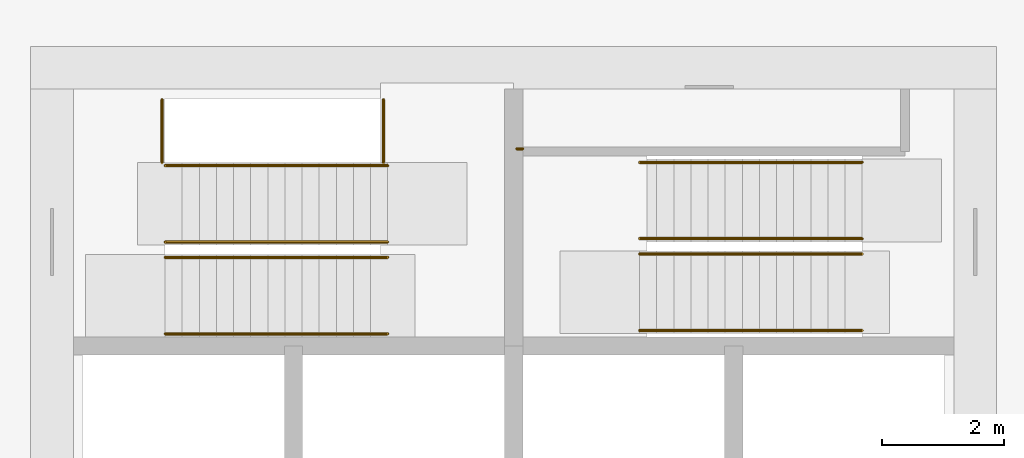
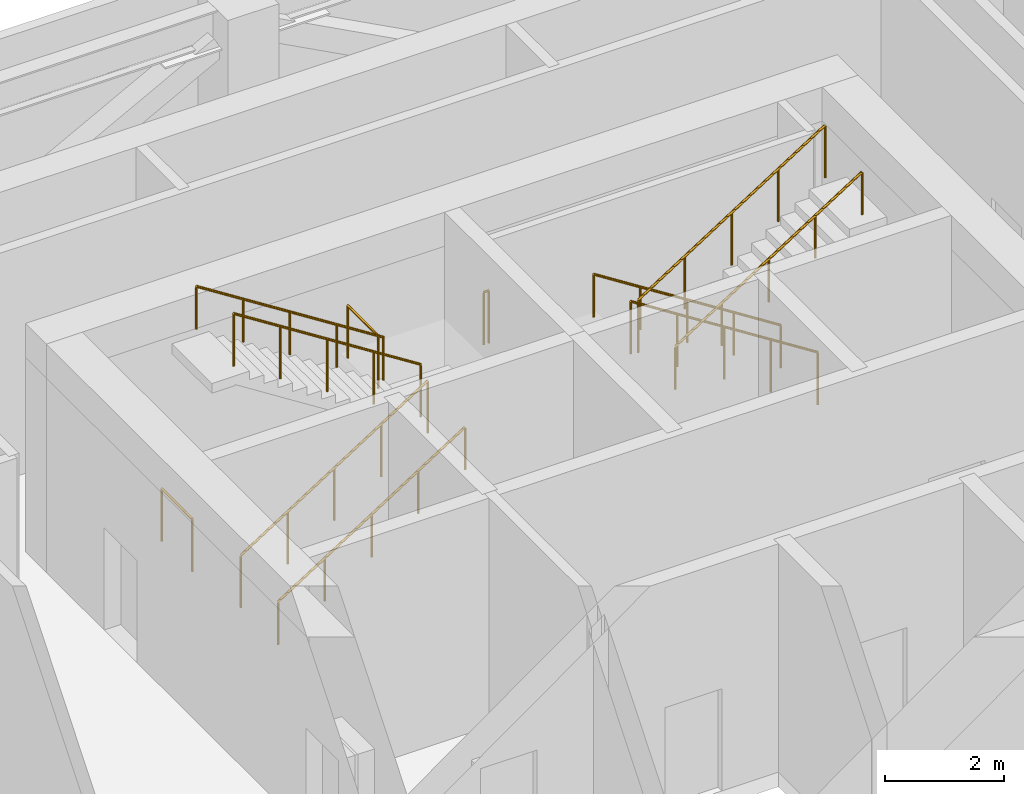
# One storey, part 8 of 9: 11 railings.
"""IFC4 building model written with IfcOpenShell, lengths in metres."""

from ifc_helpers import new_model, si_unit, direction, frame, origin, origin_2d, place, context, subcontext, project, spatial, circle, extrude, material, type_object, element, save


model = new_model("IFC4")

# Units and contexts
model_context = context("Model", 3, precision=1e-05, world=origin(), true_north=direction((0.0, 1.0)))
body_context = subcontext(model_context, "Body", "Model", "MODEL_VIEW")
ifc_project = project(units=[si_unit("LENGTHUNIT", "METRE"), si_unit("AREAUNIT", "SQUARE_METRE"), si_unit("VOLUMEUNIT", "CUBIC_METRE"), si_unit("PLANEANGLEUNIT", "RADIAN"), si_unit("MASSUNIT", "GRAM", prefix="KILO")], contexts=[model_context])

# Site, building, storey
site_placement = place(None, origin())
site = spatial("IfcSite", under=ifc_project, at=site_placement, CompositionType="ELEMENT")
building_placement = place(site_placement, origin())
building = spatial("IfcBuilding", under=site, at=building_placement, Name="Windrow Commons", CompositionType="ELEMENT")
storey_placement = place(building_placement, frame((0.0, 0.0, 126.2)))
storey = spatial("IfcBuildingStorey", under=building, at=storey_placement, Name="L34", CompositionType="ELEMENT", Elevation=126.2)

# Railings
ifc_material_1 = material(Name="Steel S355", Category="steel")
railing_type_1 = type_object("IfcRailingType", Name="Core stair guard 1100", PredefinedType="GUARDRAIL", material=ifc_material_1)
railing_1_placement = place(storey_placement, frame((59.1, 62.05, 0.1786)))
element("IfcRailing", 1, at=railing_1_placement, inside=storey, type_object=railing_type_1, Name="L34 ST-A1 stair guard 1", PredefinedType="GUARDRAIL", context=body_context, shape_type="SweptSolid", body=[
    extrude(circle(Radius=0.024, at=origin_2d()), frame((0.0, 0.0, 1.076), z_axis=(0.8431326905, 0.0, 0.5377055571), x_axis=(0.0, 1.0, 0.0)), (0.0, 0.0, 1.0), 4.3172),
    extrude(circle(Radius=0.021, at=origin_2d()), origin(), (0.0, 0.0, 1.0), 1.052),
    extrude(circle(Radius=0.021, at=origin_2d()), frame((0.91, 0.0, 0.5803)), (0.0, 0.0, 1.0), 1.052),
    extrude(circle(Radius=0.021, at=origin_2d()), frame((1.82, 0.0, 1.1607)), (0.0, 0.0, 1.0), 1.052),
    extrude(circle(Radius=0.021, at=origin_2d()), frame((2.73, 0.0, 1.741)), (0.0, 0.0, 1.0), 1.052),
    extrude(circle(Radius=0.021, at=origin_2d()), frame((3.64, 0.0, 2.3214)), (0.0, 0.0, 1.0), 1.052),
])
railing_2_placement = place(storey_placement, frame((62.74, 62.3, 2.6786)))
element("IfcRailing", 2, at=railing_2_placement, inside=storey, type_object=railing_type_1, Name="L34 ST-A1 stair guard 2", PredefinedType="GUARDRAIL", context=body_context, shape_type="SweptSolid", body=[
    extrude(circle(Radius=0.024, at=origin_2d()), frame((0.0, 0.0, 1.076), z_axis=(-0.8431326905, 0.0, 0.5377055571), x_axis=(0.0, -1.0, 0.0)), (0.0, 0.0, 1.0), 4.3172),
    extrude(circle(Radius=0.021, at=origin_2d()), origin(), (0.0, 0.0, 1.0), 1.052),
    extrude(circle(Radius=0.021, at=origin_2d()), frame((-0.91, 0.0, 0.5803)), (0.0, 0.0, 1.0), 1.052),
    extrude(circle(Radius=0.021, at=origin_2d()), frame((-1.82, 0.0, 1.1607)), (0.0, 0.0, 1.0), 1.052),
    extrude(circle(Radius=0.021, at=origin_2d()), frame((-2.73, 0.0, 1.741)), (0.0, 0.0, 1.0), 1.052),
    extrude(circle(Radius=0.021, at=origin_2d()), frame((-3.64, 0.0, 2.3214)), (0.0, 0.0, 1.0), 1.052),
])
for number, where, name in (
    (3, (59.05, 63.6, 0.0), "L34 ST-A1 stair guard 3"),
    (4, (62.67, 63.6, 2.5), "L34 ST-A1 stair guard 4"),
):
    element("IfcRailing", number, at=place(storey_placement, frame(where)), inside=storey, type_object=railing_type_1, Name=name, PredefinedType="GUARDRAIL", context=body_context, shape_type="SweptSolid", body=[
        extrude(circle(Radius=0.024, at=origin_2d()), frame((0.0, 0.0, 1.076), z_axis=(0.0, 1.0, 0.0), x_axis=(-1.0, 0.0, 0.0)), (0.0, 0.0, 1.0), 1.03),
        extrude(circle(Radius=0.021, at=origin_2d()), origin(), (0.0, 0.0, 1.0), 1.052),
        extrude(circle(Radius=0.021, at=origin_2d()), frame((0.0, 1.03, 0.0)), (0.0, 0.0, 1.0), 1.052),
    ])
railing_3_placement = place(storey_placement, frame((70.5, 62.355, 0.1786)))
element("IfcRailing", 5, at=railing_3_placement, inside=storey, type_object=railing_type_1, Name="L34 ST-A2 stair guard 1", PredefinedType="GUARDRAIL", context=body_context, shape_type="SweptSolid", body=[
    extrude(circle(Radius=0.024, at=origin_2d()), frame((0.0, 0.0, 1.076), z_axis=(-0.8431326905, 0.0, 0.5377055571), x_axis=(0.0, -1.0, 0.0)), (0.0, 0.0, 1.0), 4.3172),
    extrude(circle(Radius=0.021, at=origin_2d()), origin(), (0.0, 0.0, 1.0), 1.052),
    extrude(circle(Radius=0.021, at=origin_2d()), frame((-0.91, 0.0, 0.5803)), (0.0, 0.0, 1.0), 1.052),
    extrude(circle(Radius=0.021, at=origin_2d()), frame((-1.82, 0.0, 1.1607)), (0.0, 0.0, 1.0), 1.052),
    extrude(circle(Radius=0.021, at=origin_2d()), frame((-2.73, 0.0, 1.741)), (0.0, 0.0, 1.0), 1.052),
    extrude(circle(Radius=0.021, at=origin_2d()), frame((-3.64, 0.0, 2.3214)), (0.0, 0.0, 1.0), 1.052),
])
railing_4_placement = place(storey_placement, frame((66.86, 62.105, 2.6786)))
element("IfcRailing", 6, at=railing_4_placement, inside=storey, type_object=railing_type_1, Name="L34 ST-A2 stair guard 2", PredefinedType="GUARDRAIL", context=body_context, shape_type="SweptSolid", body=[
    extrude(circle(Radius=0.024, at=origin_2d()), frame((0.0, 0.0, 1.076), z_axis=(0.8431326905, 0.0, 0.5377055571), x_axis=(0.0, 1.0, 0.0)), (0.0, 0.0, 1.0), 4.3172),
    extrude(circle(Radius=0.021, at=origin_2d()), origin(), (0.0, 0.0, 1.0), 1.052),
    extrude(circle(Radius=0.021, at=origin_2d()), frame((0.91, 0.0, 0.5803)), (0.0, 0.0, 1.0), 1.052),
    extrude(circle(Radius=0.021, at=origin_2d()), frame((1.82, 0.0, 1.1607)), (0.0, 0.0, 1.0), 1.052),
    extrude(circle(Radius=0.021, at=origin_2d()), frame((2.73, 0.0, 1.741)), (0.0, 0.0, 1.0), 1.052),
    extrude(circle(Radius=0.021, at=origin_2d()), frame((3.64, 0.0, 2.3214)), (0.0, 0.0, 1.0), 1.052),
])
railing_5_placement = place(storey_placement, frame((64.95, 63.825, 2.5)))
element("IfcRailing", 7, at=railing_5_placement, inside=storey, type_object=railing_type_1, Name="L34 ST-A2 stair guard 3", PredefinedType="GUARDRAIL", context=body_context, shape_type="SweptSolid", body=[
    extrude(circle(Radius=0.024, at=origin_2d()), frame((0.0, 0.0, 1.076), z_axis=(-1.0, 0.0, 0.0), x_axis=(0.0, -1.0, 0.0)), (0.0, 0.0, 1.0), 0.1),
    extrude(circle(Radius=0.021, at=origin_2d()), origin(), (0.0, 0.0, 1.0), 1.052),
    extrude(circle(Radius=0.021, at=origin_2d()), frame((-0.1, 0.0, 0.0)), (0.0, 0.0, 1.0), 1.052),
])
ifc_material_2 = material(Name="Steel S355", Category="steel")
railing_type_2 = type_object("IfcRailingType", Name="Core stair handrail 900", PredefinedType="HANDRAIL", material=ifc_material_2)
railing_6_placement = place(storey_placement, frame((59.1, 60.8, 0.1786)))
element("IfcRailing", 8, at=railing_6_placement, inside=storey, type_object=railing_type_2, Name="L34 ST-A1 stair handrail 1", PredefinedType="HANDRAIL", context=body_context, shape_type="SweptSolid", body=[
    extrude(circle(Radius=0.024, at=origin_2d()), frame((0.0, 0.0, 0.876), z_axis=(0.8431326905, 0.0, 0.5377055571), x_axis=(0.0, 1.0, 0.0)), (0.0, 0.0, 1.0), 4.3172),
    extrude(circle(Radius=0.021, at=origin_2d()), origin(), (0.0, 0.0, 1.0), 0.852),
    extrude(circle(Radius=0.021, at=origin_2d()), frame((0.91, 0.0, 0.5803)), (0.0, 0.0, 1.0), 0.852),
    extrude(circle(Radius=0.021, at=origin_2d()), frame((1.82, 0.0, 1.1607)), (0.0, 0.0, 1.0), 0.852),
    extrude(circle(Radius=0.021, at=origin_2d()), frame((2.73, 0.0, 1.741)), (0.0, 0.0, 1.0), 0.852),
    extrude(circle(Radius=0.021, at=origin_2d()), frame((3.64, 0.0, 2.3214)), (0.0, 0.0, 1.0), 0.852),
])
for number, where, name in (
    (9, (62.74, 63.55, 2.6786), "L34 ST-A1 stair handrail 2"),
    (10, (70.5, 63.605, 0.1786), "L34 ST-A2 stair handrail 1"),
):
    element("IfcRailing", number, at=place(storey_placement, frame(where)), inside=storey, type_object=railing_type_2, Name=name, PredefinedType="HANDRAIL", context=body_context, shape_type="SweptSolid", body=[
        extrude(circle(Radius=0.024, at=origin_2d()), frame((0.0, 0.0, 0.876), z_axis=(-0.8431326905, 0.0, 0.5377055571), x_axis=(0.0, -1.0, 0.0)), (0.0, 0.0, 1.0), 4.3172),
        extrude(circle(Radius=0.021, at=origin_2d()), origin(), (0.0, 0.0, 1.0), 0.852),
        extrude(circle(Radius=0.021, at=origin_2d()), frame((-0.91, 0.0, 0.5803)), (0.0, 0.0, 1.0), 0.852),
        extrude(circle(Radius=0.021, at=origin_2d()), frame((-1.82, 0.0, 1.1607)), (0.0, 0.0, 1.0), 0.852),
        extrude(circle(Radius=0.021, at=origin_2d()), frame((-2.73, 0.0, 1.741)), (0.0, 0.0, 1.0), 0.852),
        extrude(circle(Radius=0.021, at=origin_2d()), frame((-3.64, 0.0, 2.3214)), (0.0, 0.0, 1.0), 0.852),
    ])
railing_7_placement = place(storey_placement, frame((66.86, 60.855, 2.6786)))
element("IfcRailing", 11, at=railing_7_placement, inside=storey, type_object=railing_type_2, Name="L34 ST-A2 stair handrail 2", PredefinedType="HANDRAIL", context=body_context, shape_type="SweptSolid", body=[
    extrude(circle(Radius=0.024, at=origin_2d()), frame((0.0, 0.0, 0.876), z_axis=(0.8431326905, 0.0, 0.5377055571), x_axis=(0.0, 1.0, 0.0)), (0.0, 0.0, 1.0), 4.3172),
    extrude(circle(Radius=0.021, at=origin_2d()), origin(), (0.0, 0.0, 1.0), 0.852),
    extrude(circle(Radius=0.021, at=origin_2d()), frame((0.91, 0.0, 0.5803)), (0.0, 0.0, 1.0), 0.852),
    extrude(circle(Radius=0.021, at=origin_2d()), frame((1.82, 0.0, 1.1607)), (0.0, 0.0, 1.0), 0.852),
    extrude(circle(Radius=0.021, at=origin_2d()), frame((2.73, 0.0, 1.741)), (0.0, 0.0, 1.0), 0.852),
    extrude(circle(Radius=0.021, at=origin_2d()), frame((3.64, 0.0, 2.3214)), (0.0, 0.0, 1.0), 0.852),
])

save(model, "model.ifc")
